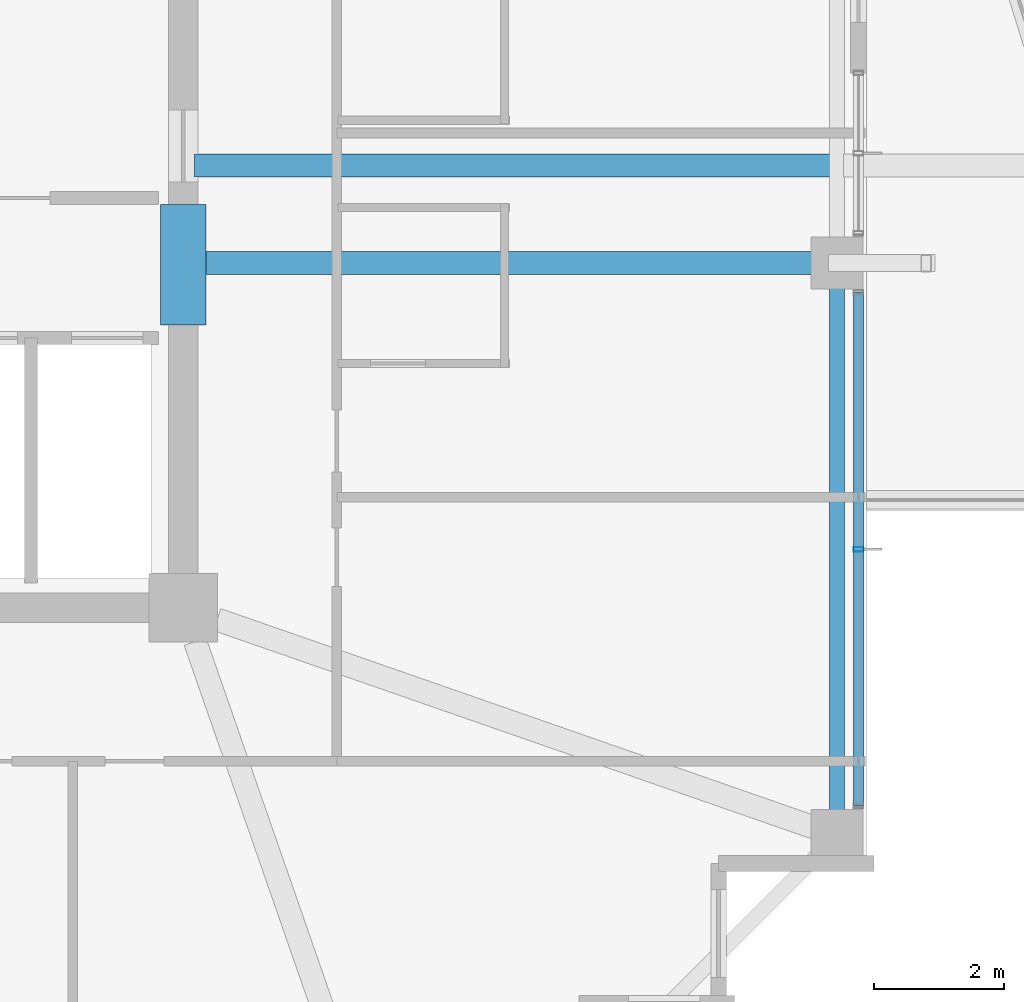
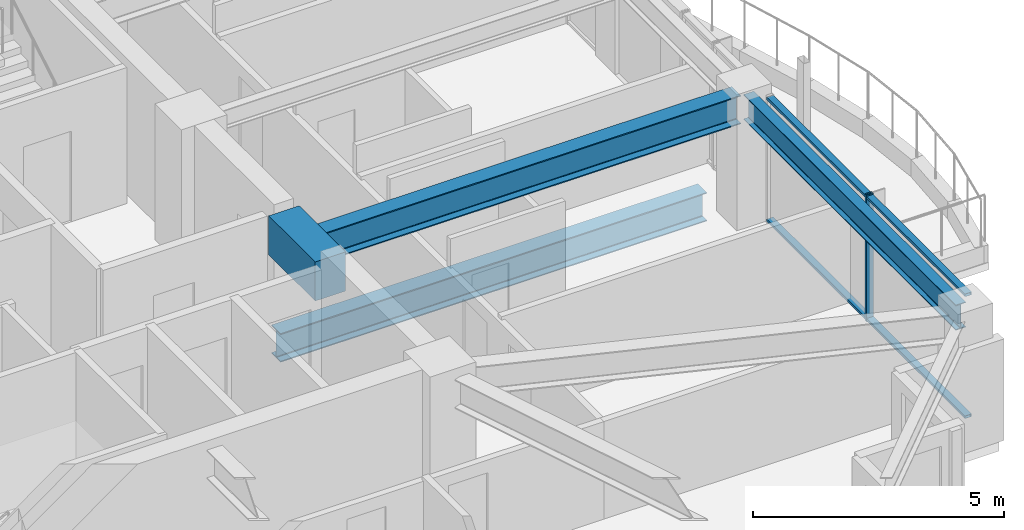
# One storey, part 12 of 35: 4 beams, 3 members, 1 element without a shape of its own.
"""IFC4 building model written with IfcOpenShell, lengths in metres."""

from ifc_helpers import new_model, si_unit, direction, frame, origin, origin_2d, place, context, subcontext, project, spatial, rectangle, hollow_rectangle, i_section, extrude, material, material_profile, profile_set, type_object, element, aggregate, save


model = new_model("IFC4")

# Units and contexts
model_context = context("Model", 3, precision=1e-05, world=origin(), true_north=direction((0.0, 1.0)))
body_context = subcontext(model_context, "Body", "Model", "MODEL_VIEW")
ifc_project = project(units=[si_unit("LENGTHUNIT", "METRE"), si_unit("AREAUNIT", "SQUARE_METRE"), si_unit("VOLUMEUNIT", "CUBIC_METRE"), si_unit("PLANEANGLEUNIT", "RADIAN"), si_unit("MASSUNIT", "GRAM", prefix="KILO")], contexts=[model_context])

# Site, building, storey
site_placement = place(None, origin())
site = spatial("IfcSite", under=ifc_project, at=site_placement, CompositionType="ELEMENT")
building_placement = place(site_placement, origin())
building = spatial("IfcBuilding", under=site, at=building_placement, Name="Kolvaren Belvedere", CompositionType="ELEMENT")
storey_placement = place(building_placement, frame((0.0, 0.0, 216.300048828125)))
storey = spatial("IfcBuildingStorey", under=building, at=storey_placement, Name="L63", CompositionType="ELEMENT", Elevation=216.300048828125)

# Beams
ifc_material_1 = material(Name="Structural steel ASTM A992 Grade 50", Category="steel")
ifc_material_profile_1 = material_profile(ifc_material_1, i_section(OverallWidth=0.35498046875, OverallDepth=0.696044921875, WebThickness=0.015380859375, FlangeThickness=0.02490234375, FilletRadius=0.02197265625, at=origin_2d()), Name="W27X146")
ifc_profile_set_1 = profile_set([ifc_material_profile_1], Name="Structural steel ASTM A992 Grade 50")
beam_type_1 = type_object("IfcBeamType", Name="BM-GIRD-W27X146", PredefinedType="BEAM", material=ifc_profile_set_1)
beam_1_placement = place(storey_placement, frame((10.06494140625, -3.10009765625, -0.568115234375), z_axis=(1.0, 0.0, 0.0), x_axis=(0.0, 1.0, 0.0)))
element("IfcBeam", 1, at=beam_1_placement, inside=storey, type_object=beam_type_1, Name="L63 Balcony Interior Back-Span Girder BAL-E-1", PredefinedType="BEAM", context=body_context, shape_type="SweptSolid", body=[
    extrude(i_section(OverallWidth=0.35498046875, OverallDepth=0.696044921875, WebThickness=0.015380859375, FlangeThickness=0.02490234375, FilletRadius=0.02197265625, at=origin_2d()), origin(), (0.0, 0.0, 1.0), 9.7900390625),
])
beam_2_placement = place(storey_placement, frame((10.125, -4.60009765625, 2.73193359375), z_axis=(1.0, 0.0, 0.0), x_axis=(0.0, 1.0, 0.0)))
element("IfcBeam", 2, at=beam_2_placement, inside=storey, type_object=beam_type_1, Name="L63 East Radial Girder M", PredefinedType="BEAM", context=body_context, shape_type="SweptSolid", body=[
    extrude(i_section(OverallWidth=0.35498046875, OverallDepth=0.696044921875, WebThickness=0.015380859375, FlangeThickness=0.02490234375, FilletRadius=0.02197265625, at=origin_2d()), origin(), (0.0, 0.0, 1.0), 9.64501953125),
])
ifc_material_2 = material(Name="Concrete C60/75", Category="concrete")
ifc_material_profile_2 = material_profile(ifc_material_2, rectangle(XDim=0.699951171875, YDim=0.949951171875, at=origin_2d()), Name="RC 700X950")
ifc_profile_set_2 = profile_set([ifc_material_profile_2], Name="Concrete C60/75")
beam_type_2 = type_object("IfcBeamType", Name="BM-LINT-950", PredefinedType="LINTEL", material=ifc_profile_set_2)
beam_3_placement = place(storey_placement, frame((9.89990234375, -5.550048828125, 2.60498046875), z_axis=(0.0, 1.0, 0.0), x_axis=(-1.0, 0.0, 0.0)))
element("IfcBeam", 3, at=beam_3_placement, inside=storey, type_object=beam_type_2, Name="L63 East Core Coupling Lintel", PredefinedType="LINTEL", context=body_context, shape_type="SweptSolid", body=[
    extrude(rectangle(XDim=0.699951171875, YDim=0.949951171875, at=origin_2d()), origin(), (0.0, 0.0, 1.0), 1.85009765625),
])
ifc_material_3 = material(Name="Structural steel ASTM A992 Grade 50", Category="steel")
ifc_material_profile_3 = material_profile(ifc_material_3, i_section(OverallWidth=0.22900390625, OverallDepth=0.612060546875, WebThickness=0.011962890625, FlangeThickness=0.01953125, FilletRadius=0.01806640625, at=origin_2d()), Name="W24X84")
ifc_profile_set_3 = profile_set([ifc_material_profile_3], Name="Structural steel ASTM A992 Grade 50")
beam_type_3 = type_object("IfcBeamType", Name="BM-SPAN-W24X84", PredefinedType="SPANDREL", material=ifc_profile_set_3)
beam_4_placement = place(storey_placement, frame((19.949951171875, -13.219970703125, 2.77392578125), z_axis=(0.0, 1.0, 0.0), x_axis=(-1.0, 0.0, 0.0)))
element("IfcBeam", 4, at=beam_4_placement, inside=storey, type_object=beam_type_3, Name="L63 Perimeter Spandrel E1-E2", PredefinedType="SPANDREL", context=body_context, shape_type="SweptSolid", body=[
    extrude(i_section(OverallWidth=0.22900390625, OverallDepth=0.612060546875, WebThickness=0.011962890625, FlangeThickness=0.01953125, FilletRadius=0.01806640625, at=origin_2d()), origin(), (0.0, 0.0, 1.0), 8.43994140625),
])

# Curtain wall, members
ifc_material_4 = material(Name="Anodised pale-metal aluminium AA 6063-T6", Category="aluminium")
curtain_wall_type = type_object("IfcCurtainWallType", Name="CW-Z5-HIGH", PredefinedType="NOTDEFINED", material=ifc_material_4)
curtain_wall_placement = place(storey_placement, origin())
curtain_wall = element("IfcCurtainWall", 5, at=curtain_wall_placement, inside=storey, type_object=curtain_wall_type, Name="L63 Unitised Curtain Wall FCW-L63-E2-B2", PredefinedType="NOTDEFINED")
ifc_material_5 = material(Name="Anodised pale-metal aluminium AA 6063-T6", Category="aluminium")
ifc_material_profile_4 = material_profile(ifc_material_5, hollow_rectangle(XDim=0.070068359375, YDim=0.14990234375, WallThickness=0.004150390625, at=origin_2d()), Name="ALU-MUL-150X70")
ifc_profile_set_4 = profile_set([ifc_material_profile_4], Name="Anodised pale-metal aluminium AA 6063-T6")
member_type_1 = type_object("IfcMemberType", Name="CW-MUL-150", PredefinedType="MULLION", material=ifc_profile_set_4)
member_1_placement = place(storey_placement, frame((20.280029296875, -9.0, 0.0), z_axis=(0.0, 0.0, 1.0), x_axis=(0.0, 1.0, 0.0)))
member_1 = element("IfcMember", 6, at=member_1_placement, type_object=member_type_1, Name="FCW-L63-E2-B2 Unitised Mullion 2", PredefinedType="MULLION", context=body_context, shape_type="SweptSolid", body=[
    extrude(hollow_rectangle(XDim=0.070068359375, YDim=0.14990234375, WallThickness=0.004150390625, at=origin_2d()), origin(), (0.0, 0.0, 1.0), 3.079833984375),
])
ifc_material_6 = material(Name="Anodised pale-metal aluminium AA 6063-T6", Category="aluminium")
ifc_material_profile_5 = material_profile(ifc_material_6, hollow_rectangle(XDim=0.06494140625, YDim=0.14990234375, WallThickness=0.00390625, at=origin_2d()), Name="ALU-TRN-150X65")
ifc_profile_set_5 = profile_set([ifc_material_profile_5], Name="Anodised pale-metal aluminium AA 6063-T6")
member_type_2 = type_object("IfcMemberType", Name="CW-TRN-150", PredefinedType="USERDEFINED", material=ifc_profile_set_5)
member_2_placement = place(storey_placement, frame((20.280029296875, -5.054931640625, 0.06005859375), z_axis=(0.0, -1.0, 0.0), x_axis=(0.0, 0.0, 1.0)))
member_2 = element("IfcMember", 7, at=member_2_placement, type_object=member_type_2, Name="FCW-L63-E2-B2 Sill Transom", ObjectType="TRANSOM", PredefinedType="USERDEFINED", context=body_context, shape_type="SweptSolid", body=[
    extrude(hollow_rectangle(XDim=0.06494140625, YDim=0.14990234375, WallThickness=0.00390625, at=origin_2d()), origin(), (0.0, 0.0, 1.0), 7.89013671875),
])
member_3_placement = place(storey_placement, frame((20.280029296875, -5.054931640625, 3.02001953125), z_axis=(0.0, -1.0, 0.0), x_axis=(0.0, 0.0, 1.0)))
member_3 = element("IfcMember", 8, at=member_3_placement, type_object=member_type_2, Name="FCW-L63-E2-B2 Head Transom", ObjectType="TRANSOM", PredefinedType="USERDEFINED", context=body_context, shape_type="SweptSolid", body=[
    extrude(hollow_rectangle(XDim=0.06494140625, YDim=0.14990234375, WallThickness=0.00390625, at=origin_2d()), origin(), (0.0, 0.0, 1.0), 7.89013671875),
])
aggregate(curtain_wall, [member_1, member_2, member_3])

save(model, "model.ifc")
